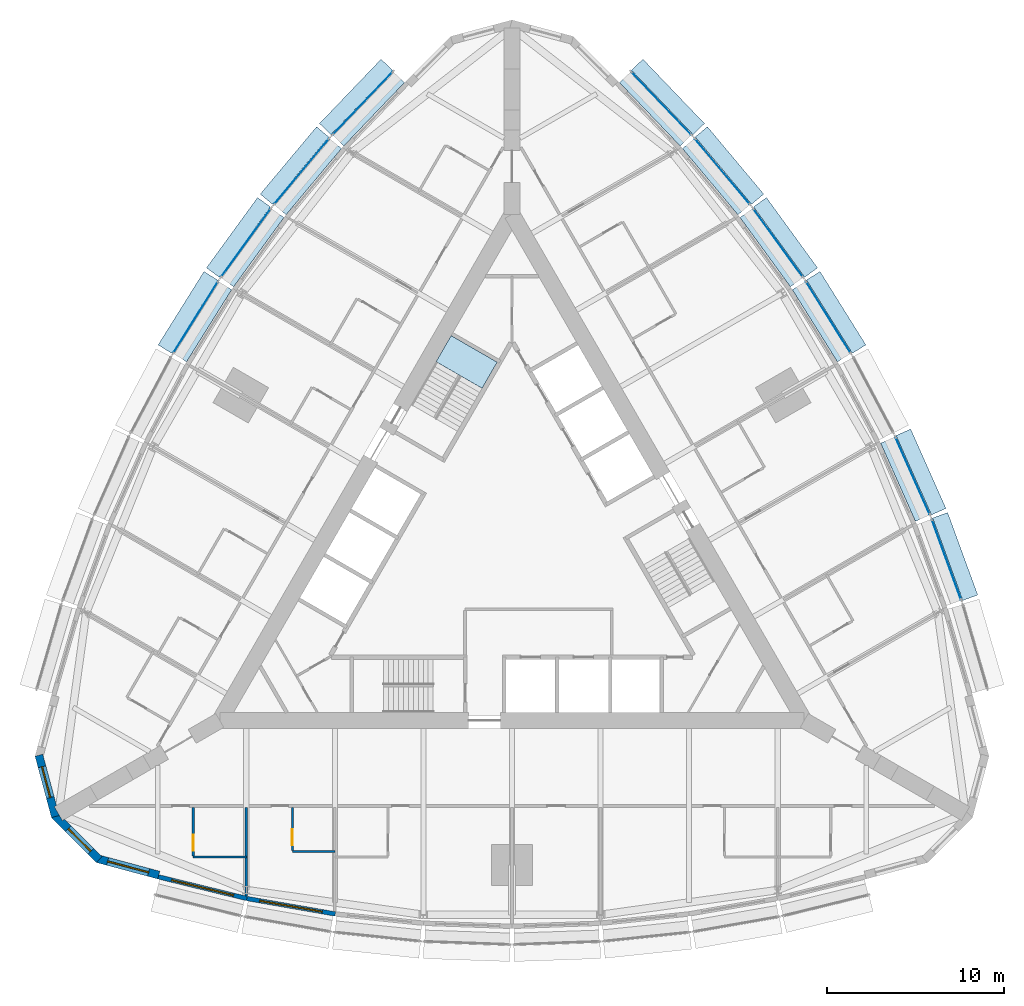
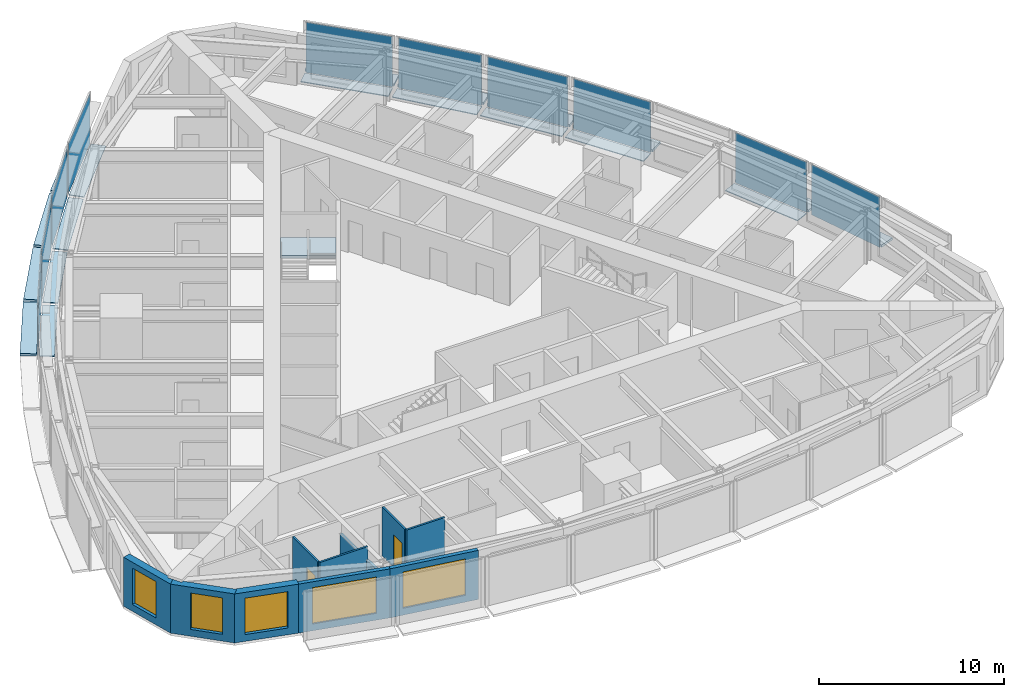
# One storey, part 7 of 14: 29 plates, 10 walls, 5 windows, 2 doors, 1 slab, 7 openings, 11 elements without a shape of their own.
"""IFC4 building model written with IfcOpenShell, lengths in metres."""

from ifc_helpers import new_model, si_unit, direction, frame, frame_2d, origin, origin_2d, place, context, subcontext, project, spatial, polyline, rectangle, outline, extrude, material, layer, layer_set, type_object, element, fill, aggregate, save


model = new_model("IFC4")

# Units and contexts
model_context = context("Model", 3, precision=1e-05, world=origin(), true_north=direction((0.0, 1.0)))
body_context = subcontext(model_context, "Body", "Model", "MODEL_VIEW")
ifc_project = project(units=[si_unit("LENGTHUNIT", "METRE"), si_unit("AREAUNIT", "SQUARE_METRE"), si_unit("VOLUMEUNIT", "CUBIC_METRE"), si_unit("PLANEANGLEUNIT", "RADIAN"), si_unit("MASSUNIT", "GRAM", prefix="KILO")], contexts=[model_context])

# Site, building, storey
site_placement = place(None, origin())
site = spatial("IfcSite", under=ifc_project, at=site_placement, CompositionType="ELEMENT")
building_placement = place(site_placement, origin())
building = spatial("IfcBuilding", under=site, at=building_placement, Name="Trikona Tower", CompositionType="ELEMENT")
storey_placement = place(building_placement, frame((0.0, 0.0, 179.300048828125)))
storey = spatial("IfcBuildingStorey", under=building, at=storey_placement, Name="L48", CompositionType="ELEMENT", Elevation=179.300048828125)

# Plates
ifc_material_1 = material(Name="Aluminium bar grating", Category="aluminium")
ifc_layer_1 = layer(ifc_material_1, 0.050048828125)
ifc_layer_set_1 = layer_set([ifc_layer_1], Name="Cavity catwalk grating")
plate_type_1 = type_object("IfcPlateType", Name="Cavity catwalk grating", PredefinedType="USERDEFINED", material=ifc_layer_set_1)
plate_1_placement = place(storey_placement, frame((22.175048828125, 4.092529296875, -0.05029296875), z_axis=(0.0, 0.0, 1.0), x_axis=(-0.406843467615, 0.913497888809, 0.0)))
element("IfcPlate", 1, at=plate_1_placement, inside=storey, type_object=plate_type_1, Name="Cavity catwalk L48-14", ObjectType="CATWALK GRATING", PredefinedType="USERDEFINED", context=body_context, shape_type="SweptSolid", body=[
    extrude(rectangle(XDim=4.827392578125, YDim=0.830078125, at=origin_2d()), origin(), (0.0, 0.0, 1.0), 0.050048828125),
])
plate_2_placement = place(storey_placement, frame((17.450927734375, 12.978759765625, -0.05029296875), z_axis=(0.0, 0.0, 1.0), x_axis=(-0.529994748414, 0.848000923734, 0.0)))
element("IfcPlate", 2, at=plate_2_placement, inside=storey, type_object=plate_type_1, Name="Cavity catwalk L48-16", ObjectType="CATWALK GRATING", PredefinedType="USERDEFINED", context=body_context, shape_type="SweptSolid", body=[
    extrude(rectangle(XDim=4.802978515625, YDim=0.830078125, at=origin_2d()), origin(), (0.0, 0.0, 1.0), 0.050048828125),
])
plate_3_placement = place(storey_placement, frame((14.6318359375, 17.157958984375, -0.05029296875), z_axis=(0.0, 0.0, 1.0), x_axis=(-0.587686407834, 0.809088799853, 0.0)))
element("IfcPlate", 3, at=plate_3_placement, inside=storey, type_object=plate_type_1, Name="Cavity catwalk L48-17", ObjectType="CATWALK GRATING", PredefinedType="USERDEFINED", context=body_context, shape_type="SweptSolid", body=[
    extrude(rectangle(XDim=4.827392578125, YDim=0.830078125, at=origin_2d()), origin(), (0.0, 0.0, 1.0), 0.050048828125),
])
plate_4_placement = place(storey_placement, frame((11.508056640625, 21.160400390625, -0.05029296875), z_axis=(0.0, 0.0, 1.0), x_axis=(-0.641807063101, 0.766866151133, 0.0)))
element("IfcPlate", 4, at=plate_4_placement, inside=storey, type_object=plate_type_1, Name="Cavity catwalk L48-18", ObjectType="CATWALK GRATING", PredefinedType="USERDEFINED", context=body_context, shape_type="SweptSolid", body=[
    extrude(rectangle(XDim=4.8759765625, YDim=0.830078125, at=origin_2d()), origin(), (0.0, 0.0, 1.0), 0.050048828125),
])
for number, where, z_axis, x_axis, name in (
    (5, (8.080078125, 24.986328125, -0.05029296875), (0.0, 0.0, 1.0), (-0.691723573819, 0.722162376078, 0.0), "Cavity catwalk L48-19"),
    (6, (-8.080078125, 24.986328125, -0.05029296875), (0.0, 0.0, 1.0), (-0.691723573819, -0.722162376078, 0.0), "Cavity catwalk L48-24"),
):
    element("IfcPlate", number, at=place(storey_placement, frame(where, z_axis=z_axis, x_axis=x_axis)), inside=storey, type_object=plate_type_1, Name=name, ObjectType="CATWALK GRATING", PredefinedType="USERDEFINED", context=body_context, shape_type="SweptSolid", body=[
        extrude(rectangle(XDim=4.947998046875, YDim=0.830078125, at=origin_2d()), origin(), (0.0, 0.0, 1.0), 0.050048828125),
    ])
plate_5_placement = place(storey_placement, frame((-11.508056640625, 21.160400390625, -0.05029296875), z_axis=(0.0, 0.0, 1.0), x_axis=(-0.641807063101, -0.766866151133, 0.0)))
element("IfcPlate", 7, at=plate_5_placement, inside=storey, type_object=plate_type_1, Name="Cavity catwalk L48-25", ObjectType="CATWALK GRATING", PredefinedType="USERDEFINED", context=body_context, shape_type="SweptSolid", body=[
    extrude(rectangle(XDim=4.8759765625, YDim=0.830078125, at=origin_2d()), origin(), (0.0, 0.0, 1.0), 0.050048828125),
])
plate_6_placement = place(storey_placement, frame((-14.6318359375, 17.157958984375, -0.05029296875), z_axis=(0.0, 0.0, 1.0), x_axis=(-0.587686407834, -0.809088799853, 0.0)))
element("IfcPlate", 8, at=plate_6_placement, inside=storey, type_object=plate_type_1, Name="Cavity catwalk L48-26", ObjectType="CATWALK GRATING", PredefinedType="USERDEFINED", context=body_context, shape_type="SweptSolid", body=[
    extrude(rectangle(XDim=4.827392578125, YDim=0.830078125, at=origin_2d()), origin(), (0.0, 0.0, 1.0), 0.050048828125),
])
plate_7_placement = place(storey_placement, frame((-17.450927734375, 12.978759765625, -0.05029296875), z_axis=(0.0, 0.0, 1.0), x_axis=(-0.529994748414, -0.848000923734, 0.0)))
element("IfcPlate", 9, at=plate_7_placement, inside=storey, type_object=plate_type_1, Name="Cavity catwalk L48-27", ObjectType="CATWALK GRATING", PredefinedType="USERDEFINED", context=body_context, shape_type="SweptSolid", body=[
    extrude(rectangle(XDim=4.802978515625, YDim=0.830078125, at=origin_2d()), origin(), (0.0, 0.0, 1.0), 0.050048828125),
])

# Curtain wall, plate
ifc_material_2 = material(Name="Aluminium curtain wall system", Category="aluminium")
curtain_wall_type = type_object("IfcCurtainWallType", Name="Curtain wall DS2", PredefinedType="NOTDEFINED", material=ifc_material_2)
curtain_wall_1_placement = place(storey_placement, origin())
curtain_wall_1 = element("IfcCurtainWall", 10, at=curtain_wall_1_placement, inside=storey, type_object=curtain_wall_type, Name="Curtain wall DS2 L48", PredefinedType="NOTDEFINED")
ifc_material_3 = material(Name="Laminated clear glass", Category="glass")
ifc_layer_2 = layer(ifc_material_3, 0.028076171875)
ifc_layer_set_2 = layer_set([ifc_layer_2], Name="Glass panel DS2")
plate_type_2 = type_object("IfcPlateType", Name="Glass panel DS2", PredefinedType="CURTAIN_PANEL", material=ifc_layer_set_2)
plate_8_placement = place(storey_placement, frame((24.53515625, -0.447509765625, 0.0), z_axis=(0.0, 0.0, 1.0), x_axis=(-0.343223420143, 0.939253790978, 0.0)))
plate_8 = element("IfcPlate", 11, at=plate_8_placement, type_object=plate_type_2, Name="CW-DS2 panel 1.1", PredefinedType="CURTAIN_PANEL", context=body_context, shape_type="SweptSolid", body=[
    extrude(rectangle(XDim=4.7958984375, YDim=0.028076171875, at=origin_2d()), origin(), (0.0, 0.0, 1.0), 3.320068359375),
])
aggregate(curtain_wall_1, [plate_8])

curtain_wall_2_placement = place(storey_placement, origin())
curtain_wall_2 = element("IfcCurtainWall", 12, at=curtain_wall_2_placement, inside=storey, type_object=curtain_wall_type, Name="Curtain wall DS2 L48", PredefinedType="NOTDEFINED")
plate_9_placement = place(storey_placement, frame((22.6181640625, 4.289794921875, 0.0), z_axis=(0.0, 0.0, 1.0), x_axis=(-0.406836013132, 0.913501208767, 0.0)))
plate_9 = element("IfcPlate", 13, at=plate_9_placement, type_object=plate_type_2, Name="CW-DS2 panel 1.1", PredefinedType="CURTAIN_PANEL", context=body_context, shape_type="SweptSolid", body=[
    extrude(rectangle(XDim=4.747314453125, YDim=0.028076171875, at=origin_2d()), origin(), (0.0, 0.0, 1.0), 3.320068359375),
])
aggregate(curtain_wall_2, [plate_9])

curtain_wall_3_placement = place(storey_placement, origin())
curtain_wall_3 = element("IfcCurtainWall", 14, at=curtain_wall_3_placement, inside=storey, type_object=curtain_wall_type, Name="Curtain wall DS2 L48", PredefinedType="NOTDEFINED")
plate_10_placement = place(storey_placement, frame((17.8623046875, 13.23583984375, 0.0), z_axis=(0.0, 0.0, 1.0), x_axis=(-0.529998940002, 0.847998304006, 0.0)))
plate_10 = element("IfcPlate", 15, at=plate_10_placement, type_object=plate_type_2, Name="CW-DS2 panel 1.1", PredefinedType="CURTAIN_PANEL", context=body_context, shape_type="SweptSolid", body=[
    extrude(rectangle(XDim=4.72314453125, YDim=0.028076171875, at=origin_2d()), origin(), (0.0, 0.0, 1.0), 3.320068359375),
])
aggregate(curtain_wall_3, [plate_10])

curtain_wall_4_placement = place(storey_placement, origin())
curtain_wall_4 = element("IfcCurtainWall", 16, at=curtain_wall_4_placement, inside=storey, type_object=curtain_wall_type, Name="Curtain wall DS2 L48", PredefinedType="NOTDEFINED")
plate_11_placement = place(storey_placement, frame((15.024169921875, 17.443115234375, 0.0), z_axis=(0.0, 0.0, 1.0), x_axis=(-0.587690588313, 0.80908576332, 0.0)))
plate_11 = element("IfcPlate", 17, at=plate_11_placement, type_object=plate_type_2, Name="CW-DS2 panel 1.1", PredefinedType="CURTAIN_PANEL", context=body_context, shape_type="SweptSolid", body=[
    extrude(rectangle(XDim=4.74755859375, YDim=0.028076171875, at=origin_2d()), origin(), (0.0, 0.0, 1.0), 3.320068359375),
])
aggregate(curtain_wall_4, [plate_11])

curtain_wall_5_placement = place(storey_placement, origin())
curtain_wall_5 = element("IfcCurtainWall", 18, at=curtain_wall_5_placement, inside=storey, type_object=curtain_wall_type, Name="Curtain wall DS2 L48", PredefinedType="NOTDEFINED")
plate_12_placement = place(storey_placement, frame((11.8798828125, 21.4716796875, 0.0), z_axis=(0.0, 0.0, 1.0), x_axis=(-0.641806433248, 0.766866678271, 0.0)))
plate_12 = element("IfcPlate", 19, at=plate_12_placement, type_object=plate_type_2, Name="CW-DS2 panel 1.1", PredefinedType="CURTAIN_PANEL", context=body_context, shape_type="SweptSolid", body=[
    extrude(rectangle(XDim=4.7958984375, YDim=0.028076171875, at=origin_2d()), origin(), (0.0, 0.0, 1.0), 3.320068359375),
])
aggregate(curtain_wall_5, [plate_12])

curtain_wall_6_placement = place(storey_placement, origin())
curtain_wall_6 = element("IfcCurtainWall", 20, at=curtain_wall_6_placement, inside=storey, type_object=curtain_wall_type, Name="Curtain wall DS2 L48", PredefinedType="NOTDEFINED")
plate_13_placement = place(storey_placement, frame((8.430419921875, 25.32177734375, 0.0), z_axis=(0.0, 0.0, 1.0), x_axis=(-0.691727797117, 0.722158330767, 0.0)))
plate_13 = element("IfcPlate", 21, at=plate_13_placement, type_object=plate_type_2, Name="CW-DS2 panel 1.1", PredefinedType="CURTAIN_PANEL", context=body_context, shape_type="SweptSolid", body=[
    extrude(rectangle(XDim=4.867919921875, YDim=0.028076171875, at=origin_2d()), origin(), (0.0, 0.0, 1.0), 3.320068359375),
])
aggregate(curtain_wall_6, [plate_13])

curtain_wall_7_placement = place(storey_placement, origin())
curtain_wall_7 = element("IfcCurtainWall", 22, at=curtain_wall_7_placement, inside=storey, type_object=curtain_wall_type, Name="Curtain wall DS2 L48", PredefinedType="NOTDEFINED")
plate_14_placement = place(storey_placement, frame((-8.430419921875, 25.32177734375, 0.0), z_axis=(0.0, 0.0, 1.0), x_axis=(-0.691727797117, -0.722158330767, 0.0)))
plate_14 = element("IfcPlate", 23, at=plate_14_placement, type_object=plate_type_2, Name="CW-DS2 panel 1.1", PredefinedType="CURTAIN_PANEL", context=body_context, shape_type="SweptSolid", body=[
    extrude(rectangle(XDim=4.867919921875, YDim=0.028076171875, at=origin_2d()), origin(), (0.0, 0.0, 1.0), 3.320068359375),
])
aggregate(curtain_wall_7, [plate_14])

curtain_wall_8_placement = place(storey_placement, origin())
curtain_wall_8 = element("IfcCurtainWall", 24, at=curtain_wall_8_placement, inside=storey, type_object=curtain_wall_type, Name="Curtain wall DS2 L48", PredefinedType="NOTDEFINED")
plate_15_placement = place(storey_placement, frame((-11.8798828125, 21.4716796875, 0.0), z_axis=(0.0, 0.0, 1.0), x_axis=(-0.641806433248, -0.766866678271, 0.0)))
plate_15 = element("IfcPlate", 25, at=plate_15_placement, type_object=plate_type_2, Name="CW-DS2 panel 1.1", PredefinedType="CURTAIN_PANEL", context=body_context, shape_type="SweptSolid", body=[
    extrude(rectangle(XDim=4.7958984375, YDim=0.028076171875, at=origin_2d()), origin(), (0.0, 0.0, 1.0), 3.320068359375),
])
aggregate(curtain_wall_8, [plate_15])

curtain_wall_9_placement = place(storey_placement, origin())
curtain_wall_9 = element("IfcCurtainWall", 26, at=curtain_wall_9_placement, inside=storey, type_object=curtain_wall_type, Name="Curtain wall DS2 L48", PredefinedType="NOTDEFINED")
plate_16_placement = place(storey_placement, frame((-15.024169921875, 17.443115234375, 0.0), z_axis=(0.0, 0.0, 1.0), x_axis=(-0.587690588313, -0.80908576332, 0.0)))
plate_16 = element("IfcPlate", 27, at=plate_16_placement, type_object=plate_type_2, Name="CW-DS2 panel 1.1", PredefinedType="CURTAIN_PANEL", context=body_context, shape_type="SweptSolid", body=[
    extrude(rectangle(XDim=4.74755859375, YDim=0.028076171875, at=origin_2d()), origin(), (0.0, 0.0, 1.0), 3.320068359375),
])
aggregate(curtain_wall_9, [plate_16])

curtain_wall_10_placement = place(storey_placement, origin())
curtain_wall_10 = element("IfcCurtainWall", 28, at=curtain_wall_10_placement, inside=storey, type_object=curtain_wall_type, Name="Curtain wall DS2 L48", PredefinedType="NOTDEFINED")
plate_17_placement = place(storey_placement, frame((-17.8623046875, 13.23583984375, 0.0), z_axis=(0.0, 0.0, 1.0), x_axis=(-0.529998940002, -0.847998304006, 0.0)))
plate_17 = element("IfcPlate", 29, at=plate_17_placement, type_object=plate_type_2, Name="CW-DS2 panel 1.1", PredefinedType="CURTAIN_PANEL", context=body_context, shape_type="SweptSolid", body=[
    extrude(rectangle(XDim=4.72314453125, YDim=0.028076171875, at=origin_2d()), origin(), (0.0, 0.0, 1.0), 3.320068359375),
])
aggregate(curtain_wall_10, [plate_17])

# Plates
ifc_material_4 = material(Name="Aluminium plate fin, pale anodised, on stainless steel outriggers", Category="steel")
ifc_layer_3 = layer(ifc_material_4, 0.14990234375)
ifc_layer_set_3 = layer_set([ifc_layer_3], Name="Outer skin fin 900")
plate_type_3 = type_object("IfcPlateType", Name="Outer skin fin 900", PredefinedType="USERDEFINED", material=ifc_layer_set_3)
plate_18_placement = place(storey_placement, frame((25.0234375, -0.26904296875, 0.0), z_axis=(0.0, 0.0, 1.0), x_axis=(-0.343220397324, 0.939254895575, 0.0)))
element("IfcPlate", 30, at=plate_18_placement, inside=storey, type_object=plate_type_3, Name="Outer skin fin L48-13", ObjectType="FIN", PredefinedType="USERDEFINED", context=body_context, shape_type="SweptSolid", body=[
    extrude(rectangle(XDim=4.9560546875, YDim=0.89990234375, at=origin_2d()), origin(), (0.0, 0.0, 1.0), 0.14990234375),
])
plate_19_placement = place(storey_placement, frame((23.09326171875, 4.50146484375, 0.0), z_axis=(0.0, 0.0, 1.0), x_axis=(-0.406843467615, 0.913497888809, 0.0)))
element("IfcPlate", 31, at=plate_19_placement, inside=storey, type_object=plate_type_3, Name="Outer skin fin L48-14", ObjectType="FIN", PredefinedType="USERDEFINED", context=body_context, shape_type="SweptSolid", body=[
    extrude(rectangle(XDim=4.907470703125, YDim=0.89990234375, at=origin_2d()), origin(), (0.0, 0.0, 1.0), 0.14990234375),
])
plate_20_placement = place(storey_placement, frame((18.30322265625, 13.511474609375, 0.0), z_axis=(0.0, 0.0, 1.0), x_axis=(-0.529994748414, 0.848000923734, 0.0)))
element("IfcPlate", 32, at=plate_20_placement, inside=storey, type_object=plate_type_3, Name="Outer skin fin L48-16", ObjectType="FIN", PredefinedType="USERDEFINED", context=body_context, shape_type="SweptSolid", body=[
    extrude(rectangle(XDim=4.883056640625, YDim=0.89990234375, at=origin_2d()), origin(), (0.0, 0.0, 1.0), 0.14990234375),
])
plate_21_placement = place(storey_placement, frame((15.44482421875, 17.74853515625, 0.0), z_axis=(0.0, 0.0, 1.0), x_axis=(-0.587686407834, 0.809088799853, 0.0)))
element("IfcPlate", 33, at=plate_21_placement, inside=storey, type_object=plate_type_3, Name="Outer skin fin L48-17", ObjectType="FIN", PredefinedType="USERDEFINED", context=body_context, shape_type="SweptSolid", body=[
    extrude(rectangle(XDim=4.907470703125, YDim=0.89990234375, at=origin_2d()), origin(), (0.0, 0.0, 1.0), 0.14990234375),
])
plate_22_placement = place(storey_placement, frame((12.27880859375, 21.8056640625, 0.0), z_axis=(0.0, 0.0, 1.0), x_axis=(-0.641807063101, 0.766866151133, 0.0)))
element("IfcPlate", 34, at=plate_22_placement, inside=storey, type_object=plate_type_3, Name="Outer skin fin L48-18", ObjectType="FIN", PredefinedType="USERDEFINED", context=body_context, shape_type="SweptSolid", body=[
    extrude(rectangle(XDim=4.9560546875, YDim=0.89990234375, at=origin_2d()), origin(), (0.0, 0.0, 1.0), 0.14990234375),
])
for number, where, z_axis, x_axis, name in (
    (35, (8.805908203125, 25.681396484375, 0.0), (0.0, 0.0, 1.0), (-0.691723573819, 0.722162376078, 0.0), "Outer skin fin L48-19"),
    (36, (-8.805908203125, 25.681396484375, 0.0), (0.0, 0.0, 1.0), (-0.691723573819, -0.722162376078, 0.0), "Outer skin fin L48-24"),
):
    element("IfcPlate", number, at=place(storey_placement, frame(where, z_axis=z_axis, x_axis=x_axis)), inside=storey, type_object=plate_type_3, Name=name, ObjectType="FIN", PredefinedType="USERDEFINED", context=body_context, shape_type="SweptSolid", body=[
        extrude(rectangle(XDim=5.02783203125, YDim=0.89990234375, at=origin_2d()), origin(), (0.0, 0.0, 1.0), 0.14990234375),
    ])
plate_23_placement = place(storey_placement, frame((-12.27880859375, 21.8056640625, 0.0), z_axis=(0.0, 0.0, 1.0), x_axis=(-0.641807063101, -0.766866151133, 0.0)))
element("IfcPlate", 37, at=plate_23_placement, inside=storey, type_object=plate_type_3, Name="Outer skin fin L48-25", ObjectType="FIN", PredefinedType="USERDEFINED", context=body_context, shape_type="SweptSolid", body=[
    extrude(rectangle(XDim=4.9560546875, YDim=0.89990234375, at=origin_2d()), origin(), (0.0, 0.0, 1.0), 0.14990234375),
])
plate_24_placement = place(storey_placement, frame((-15.44482421875, 17.74853515625, 0.0), z_axis=(0.0, 0.0, 1.0), x_axis=(-0.587686407834, -0.809088799853, 0.0)))
element("IfcPlate", 38, at=plate_24_placement, inside=storey, type_object=plate_type_3, Name="Outer skin fin L48-26", ObjectType="FIN", PredefinedType="USERDEFINED", context=body_context, shape_type="SweptSolid", body=[
    extrude(rectangle(XDim=4.907470703125, YDim=0.89990234375, at=origin_2d()), origin(), (0.0, 0.0, 1.0), 0.14990234375),
])
plate_25_placement = place(storey_placement, frame((-18.30322265625, 13.511474609375, 0.0), z_axis=(0.0, 0.0, 1.0), x_axis=(-0.529994748414, -0.848000923734, 0.0)))
element("IfcPlate", 39, at=plate_25_placement, inside=storey, type_object=plate_type_3, Name="Outer skin fin L48-27", ObjectType="FIN", PredefinedType="USERDEFINED", context=body_context, shape_type="SweptSolid", body=[
    extrude(rectangle(XDim=4.883056640625, YDim=0.89990234375, at=origin_2d()), origin(), (0.0, 0.0, 1.0), 0.14990234375),
])

# Stair, slab
ifc_material_5 = material(Name="Concrete f'c 5000 psi", Category="concrete")
stair_type = type_object("IfcStairType", Name="Core stair", PredefinedType="HALF_TURN_STAIR", material=ifc_material_5)
stair_placement = place(storey_placement, origin())
stair = element("IfcStair", 40, at=stair_placement, inside=storey, type_object=stair_type, Name="Stair C L48", PredefinedType="HALF_TURN_STAIR")
ifc_material_6 = material(Name="Concrete f'c 5000 psi", Category="concrete")
ifc_layer_4 = layer(ifc_material_6, 0.199951171875)
ifc_layer_set_4 = layer_set([ifc_layer_4], Name="Stair landing 200")
slab_type = type_object("IfcSlabType", Name="Stair landing 200", PredefinedType="LANDING", material=ifc_layer_set_4)
slab_placement = place(storey_placement, frame((0.0, 0.0, 1.5)))
slab = element("IfcSlab", 41, at=slab_placement, type_object=slab_type, Name="ST-C landing 2", PredefinedType="LANDING", context=body_context, shape_type="SweptSolid", body=[
    extrude(outline(polyline([(-0.837158203125, 10.702392578125), (-1.688720703125, 9.2275390625), (-4.286865234375, 10.7275390625), (-3.435302734375, 12.202392578125), (-0.837158203125, 10.702392578125)])), origin(), (0.0, 0.0, 1.0), 0.199951171875),
])
aggregate(stair, [slab])

# Wall
ifc_material_7 = material(Name="Metal stud and cement board", Category="gypsum")
ifc_layer_5 = layer(ifc_material_7, 0.1201171875)
ifc_layer_set_5 = layer_set([ifc_layer_5], Name="Bathroom wall 120")
wall_type_1 = type_object("IfcWallType", Name="Bathroom wall 120", PredefinedType="PLUMBINGWALL", material=ifc_layer_set_5)
wall_1_placement = place(storey_placement, frame((-18.0, -17.226318359375, 0.0), z_axis=(0.0, 0.0, 1.0), x_axis=(1.0, 0.0, 0.0)))
element("IfcWall", 42, at=wall_1_placement, inside=storey, type_object=wall_type_1, Name="Bathroom wall 4801", PredefinedType="PLUMBINGWALL", context=body_context, shape_type="SweptSolid", body=[
    extrude(rectangle(XDim=3.0, YDim=0.1201171875, at=frame_2d((1.5, 0.0))), origin(), (0.0, 0.0, 1.0), 3.23486328125),
])

# Wall, opening, door
wall_2_placement = place(storey_placement, frame((-18.0, -14.42626953125, 0.0), z_axis=(0.0, 0.0, 1.0), x_axis=(0.0, -1.0, 0.0)))
wall_2 = element("IfcWall", 43, at=wall_2_placement, inside=storey, type_object=wall_type_1, Name="Bathroom wall 4801", PredefinedType="PLUMBINGWALL", context=body_context, shape_type="SweptSolid", body=[
    extrude(rectangle(XDim=2.739990234375, YDim=0.1201171875, at=frame_2d((1.3701171875, 0.0))), origin(), (0.0, 0.0, 1.0), 3.23486328125),
])
opening_1_placement = place(wall_2_placement, frame((1.550048828125, 0.0, 0.0)))
opening_1 = element("IfcOpeningElement", 44, at=opening_1_placement, cuts=wall_2, Name="Opening D2", PredefinedType="OPENING", context=body_context, shape_type="SweptSolid", body=[
    extrude(rectangle(XDim=0.89990234375, YDim=2.1298828125, at=frame_2d((0.449951171875, 1.06494140625))), frame((0.0, 0.070068359375, 0.0), z_axis=(0.0, -1.0, 0.0), x_axis=(1.0, 0.0, 0.0)), (0.0, 0.0, 1.0), 0.14013671875),
])
ifc_material_8 = material(Name="Steel door frame with solid-core timber leaf", Category="steel")
door_type = type_object("IfcDoorType", Name="Bathroom door 900x2130", OperationType="SLIDING_TO_LEFT", PredefinedType="DOOR", material=ifc_material_8)
door_1_placement = place(opening_1_placement, origin())
door_1 = element("IfcDoor", 45, at=door_1_placement, inside=storey, type_object=door_type, Name="Bathroom door 4801", OperationType="SLIDING_TO_LEFT", OverallHeight=2.1298828125, OverallWidth=0.89990234375, PredefinedType="DOOR", context=body_context, shape_type="SweptSolid", body=[
    extrude(rectangle(XDim=0.89990234375, YDim=2.1298828125, at=frame_2d((0.449951171875, 1.06494140625))), frame((0.0, 0.02490234375, 0.0), z_axis=(0.0, -1.0, 0.0), x_axis=(1.0, 0.0, 0.0)), (0.0, 0.0, 1.0), 0.050048828125),
])
fill(opening_1, door_1)

# Wall
wall_3_placement = place(storey_placement, frame((-12.39990234375, -16.92626953125, 0.0), z_axis=(0.0, 0.0, 1.0), x_axis=(1.0, 0.0, 0.0)))
element("IfcWall", 46, at=wall_3_placement, inside=storey, type_object=wall_type_1, Name="Bathroom wall 4802", PredefinedType="PLUMBINGWALL", context=body_context, shape_type="SweptSolid", body=[
    extrude(rectangle(XDim=2.39990234375, YDim=0.1201171875, at=frame_2d((1.199951171875, 0.0))), origin(), (0.0, 0.0, 1.0), 3.23486328125),
])

# Wall, opening, door
wall_4_placement = place(storey_placement, frame((-12.39990234375, -14.42626953125, 0.0), z_axis=(0.0, 0.0, 1.0), x_axis=(0.0, -1.0, 0.0)))
wall_4 = element("IfcWall", 47, at=wall_4_placement, inside=storey, type_object=wall_type_1, Name="Bathroom wall 4802", PredefinedType="PLUMBINGWALL", context=body_context, shape_type="SweptSolid", body=[
    extrude(rectangle(XDim=2.43994140625, YDim=0.1201171875, at=frame_2d((1.219970703125, 0.0))), origin(), (0.0, 0.0, 1.0), 3.23486328125),
])
opening_2_placement = place(wall_4_placement, frame((1.25, 0.0, 0.0)))
opening_2 = element("IfcOpeningElement", 48, at=opening_2_placement, cuts=wall_4, Name="Opening D2", PredefinedType="OPENING", context=body_context, shape_type="SweptSolid", body=[
    extrude(rectangle(XDim=0.89990234375, YDim=2.1298828125, at=frame_2d((0.449951171875, 1.06494140625))), frame((0.0, 0.070068359375, 0.0), z_axis=(0.0, -1.0, 0.0), x_axis=(1.0, 0.0, 0.0)), (0.0, 0.0, 1.0), 0.14013671875),
])
door_2_placement = place(opening_2_placement, origin())
door_2 = element("IfcDoor", 49, at=door_2_placement, inside=storey, type_object=door_type, Name="Bathroom door 4802", OperationType="SLIDING_TO_LEFT", OverallHeight=2.1298828125, OverallWidth=0.89990234375, PredefinedType="DOOR", context=body_context, shape_type="SweptSolid", body=[
    extrude(rectangle(XDim=0.89990234375, YDim=2.1298828125, at=frame_2d((0.449951171875, 1.06494140625))), frame((0.0, 0.02490234375, 0.0), z_axis=(0.0, -1.0, 0.0), x_axis=(1.0, 0.0, 0.0)), (0.0, 0.0, 1.0), 0.050048828125),
])
fill(opening_2, door_2)

# Wall, opening, window
ifc_material_9 = material(Name="Brick-faced precast concrete", Category="masonry")
ifc_layer_6 = layer(ifc_material_9, 0.449951171875)
ifc_layer_set_6 = layer_set([ifc_layer_6], Name="Brick-faced corner wall 450")
wall_type_2 = type_object("IfcWallType", Name="Brick-faced corner wall 450", PredefinedType="SOLIDWALL", material=ifc_layer_set_6)
wall_5_placement = place(storey_placement, frame((-26.7109375, -11.48876953125, 0.0), z_axis=(0.0, 0.0, 1.0), x_axis=(0.258823421857, -0.965924653531, 0.0)))
wall_5 = element("IfcWall", 50, at=wall_5_placement, inside=storey, type_object=wall_type_2, Name="External wall L48-33", PredefinedType="SOLIDWALL", context=body_context, shape_type="SweptSolid", body=[
    extrude(outline(polyline([(3.58642578125, 0.22509765625), (3.52685546875, 0.22509765625), (3.03515625, 0.09326171875), (3.0, 0.22509765625), (0.0, 0.22509765625), (0.0, -0.22509765625), (3.58642578125, -0.22509765625), (3.58642578125, 0.22509765625)])), origin(), (0.0, 0.0, 1.0), 3.23486328125),
])
opening_3_placement = place(wall_5_placement, frame((0.6748046875, 0.0, 0.449951171875)))
opening_3 = element("IfcOpeningElement", 51, at=opening_3_placement, cuts=wall_5, Name="Opening W1824", PredefinedType="OPENING", context=body_context, shape_type="SweptSolid", body=[
    extrude(rectangle(XDim=1.800048828125, YDim=2.39990234375, at=frame_2d((0.89990234375, 1.199951171875))), frame((0.0, 0.23486328125, 0.0), z_axis=(0.0, -1.0, 0.0), x_axis=(1.0, 0.0, 0.0)), (0.0, 0.0, 1.0), 0.469970703125),
])
ifc_material_10 = material(Name="Aluminium-framed double glazing", Category="aluminium")
window_type_1 = type_object("IfcWindowType", Name="Window 1800x2400", PartitioningType="SINGLE_PANEL", PredefinedType="WINDOW", material=ifc_material_10)
window_1_placement = place(opening_3_placement, origin())
window_1 = element("IfcWindow", 52, at=window_1_placement, inside=storey, type_object=window_type_1, Name="Window 4815", OverallHeight=2.39990234375, OverallWidth=1.800048828125, PartitioningType="SINGLE_PANEL", PredefinedType="WINDOW", context=body_context, shape_type="SweptSolid", body=[
    extrude(rectangle(XDim=1.800048828125, YDim=2.39990234375, at=frame_2d((0.89990234375, 1.199951171875))), frame((0.0, 0.030029296875, 0.0), z_axis=(0.0, -1.0, 0.0), x_axis=(1.0, 0.0, 0.0)), (0.0, 0.0, 1.0), 0.06005859375),
])
fill(opening_3, window_1)

wall_6_placement = place(storey_placement, frame((-25.8408203125, -14.85205078125, 0.0), z_axis=(0.0, 0.0, 1.0), x_axis=(0.707106781187, -0.707106781187, 0.0)))
wall_6 = element("IfcWall", 53, at=wall_6_placement, inside=storey, type_object=wall_type_2, Name="External wall L48-34", PredefinedType="SOLIDWALL", context=body_context, shape_type="SweptSolid", body=[
    extrude(outline(polyline([(3.586181640625, 0.22509765625), (0.58642578125, 0.22509765625), (0.551025390625, 0.09326171875), (0.05908203125, 0.22509765625), (0.0, 0.22509765625), (0.0, -0.22509765625), (3.586181640625, -0.22509765625), (3.586181640625, 0.22509765625)])), origin(), (0.0, 0.0, 1.0), 3.23486328125),
])
opening_4_placement = place(wall_6_placement, frame((1.111328125, 0.0, 0.449951171875)))
opening_4 = element("IfcOpeningElement", 54, at=opening_4_placement, cuts=wall_6, Name="Opening W1824", PredefinedType="OPENING", context=body_context, shape_type="SweptSolid", body=[
    extrude(rectangle(XDim=1.800048828125, YDim=2.39990234375, at=frame_2d((0.89990234375, 1.199951171875))), frame((0.0, 0.23486328125, 0.0), z_axis=(0.0, -1.0, 0.0), x_axis=(1.0, 0.0, 0.0)), (0.0, 0.0, 1.0), 0.469970703125),
])
window_2_placement = place(opening_4_placement, origin())
window_2 = element("IfcWindow", 55, at=window_2_placement, inside=storey, type_object=window_type_1, Name="Window 4801", OverallHeight=2.39990234375, OverallWidth=1.800048828125, PartitioningType="SINGLE_PANEL", PredefinedType="WINDOW", context=body_context, shape_type="SweptSolid", body=[
    extrude(rectangle(XDim=1.800048828125, YDim=2.39990234375, at=frame_2d((0.89990234375, 1.199951171875))), frame((0.0, 0.030029296875, 0.0), z_axis=(0.0, -1.0, 0.0), x_axis=(1.0, 0.0, 0.0)), (0.0, 0.0, 1.0), 0.06005859375),
])
fill(opening_4, window_2)

wall_7_placement = place(storey_placement, frame((-23.406005859375, -17.32958984375, 0.0), z_axis=(0.0, 0.0, 1.0), x_axis=(0.965924653531, -0.258823421857, 0.0)))
wall_7 = element("IfcWall", 56, at=wall_7_placement, inside=storey, type_object=wall_type_2, Name="External wall L48-35", PredefinedType="SOLIDWALL", context=body_context, shape_type="SweptSolid", body=[
    extrude(rectangle(XDim=3.58642578125, YDim=0.449951171875, at=frame_2d((1.793212890625, 0.0))), origin(), (0.0, 0.0, 1.0), 3.23486328125),
])
opening_5_placement = place(wall_7_placement, frame((0.593017578125, 0.0, 0.449951171875)))
opening_5 = element("IfcOpeningElement", 57, at=opening_5_placement, cuts=wall_7, Name="Opening W2424", PredefinedType="OPENING", context=body_context, shape_type="SweptSolid", body=[
    extrude(rectangle(XDim=2.39990234375, YDim=2.39990234375, at=frame_2d((1.199951171875, 1.199951171875))), frame((0.0, 0.23486328125, 0.0), z_axis=(0.0, -1.0, 0.0), x_axis=(1.0, 0.0, 0.0)), (0.0, 0.0, 1.0), 0.469970703125),
])
ifc_material_11 = material(Name="Aluminium-framed double glazing", Category="aluminium")
window_type_2 = type_object("IfcWindowType", Name="Window 2400x2400", PartitioningType="SINGLE_PANEL", PredefinedType="WINDOW", material=ifc_material_11)
window_3_placement = place(opening_5_placement, origin())
window_3 = element("IfcWindow", 58, at=window_3_placement, inside=storey, type_object=window_type_2, Name="Window 4801", OverallHeight=2.39990234375, OverallWidth=2.39990234375, PartitioningType="SINGLE_PANEL", PredefinedType="WINDOW", context=body_context, shape_type="SweptSolid", body=[
    extrude(rectangle(XDim=2.39990234375, YDim=2.39990234375, at=frame_2d((1.199951171875, 1.199951171875))), frame((0.0, 0.030029296875, 0.0), z_axis=(0.0, -1.0, 0.0), x_axis=(1.0, 0.0, 0.0)), (0.0, 0.0, 1.0), 0.06005859375),
])
fill(opening_5, window_3)

ifc_material_12 = material(Name="Insulated precast concrete spandrel panel", Category="concrete")
ifc_layer_7 = layer(ifc_material_12, 0.25)
ifc_layer_set_7 = layer_set([ifc_layer_7], Name="Inner skin wall 250")
wall_type_3 = type_object("IfcWallType", Name="Inner skin wall 250", PredefinedType="STANDARD", material=ifc_layer_set_7)
wall_8_placement = place(storey_placement, frame((-19.97021484375, -18.353759765625, 0.0), z_axis=(0.0, 0.0, 1.0), x_axis=(0.971270024053, -0.237980126011, 0.0)))
wall_8 = element("IfcWall", 59, at=wall_8_placement, inside=storey, type_object=wall_type_3, Name="External wall L48-00", PredefinedType="STANDARD", context=body_context, shape_type="SweptSolid", body=[
    extrude(rectangle(XDim=5.14794921875, YDim=0.25, at=frame_2d((2.573974609375, 0.0))), origin(), (0.0, 0.0, 1.0), 3.23486328125),
])
opening_6_placement = place(wall_8_placement, frame((0.77392578125, 0.0, 0.449951171875)))
opening_6 = element("IfcOpeningElement", 60, at=opening_6_placement, cuts=wall_8, Name="Opening W3624", PredefinedType="OPENING", context=body_context, shape_type="SweptSolid", body=[
    extrude(rectangle(XDim=3.60009765625, YDim=2.39990234375, at=frame_2d((1.800048828125, 1.199951171875))), frame((0.0, 0.135009765625, 0.0), z_axis=(0.0, -1.0, 0.0), x_axis=(1.0, 0.0, 0.0)), (0.0, 0.0, 1.0), 0.27001953125),
])
ifc_material_13 = material(Name="Aluminium-framed double glazing", Category="aluminium")
window_type_3 = type_object("IfcWindowType", Name="Window 3600x2400", PartitioningType="SINGLE_PANEL", PredefinedType="WINDOW", material=ifc_material_13)
window_4_placement = place(opening_6_placement, origin())
window_4 = element("IfcWindow", 61, at=window_4_placement, inside=storey, type_object=window_type_3, Name="Window 4801", OverallHeight=2.39990234375, OverallWidth=3.60009765625, PartitioningType="SINGLE_PANEL", PredefinedType="WINDOW", context=body_context, shape_type="SweptSolid", body=[
    extrude(rectangle(XDim=3.60009765625, YDim=2.39990234375, at=frame_2d((1.800048828125, 1.199951171875))), frame((0.0, 0.030029296875, 0.0), z_axis=(0.0, -1.0, 0.0), x_axis=(1.0, 0.0, 0.0)), (0.0, 0.0, 1.0), 0.06005859375),
])
fill(opening_6, window_4)

wall_9_placement = place(storey_placement, frame((-14.978515625, -19.5771484375, 0.0), z_axis=(0.0, 0.0, 1.0), x_axis=(0.985030467156, -0.172380331752, 0.0)))
wall_9 = element("IfcWall", 62, at=wall_9_placement, inside=storey, type_object=wall_type_3, Name="External wall L48-01", PredefinedType="STANDARD", context=body_context, shape_type="SweptSolid", body=[
    extrude(rectangle(XDim=5.075927734375, YDim=0.25, at=frame_2d((2.5380859375, 0.0))), origin(), (0.0, 0.0, 1.0), 3.23486328125),
])
opening_7_placement = place(wall_9_placement, frame((0.738037109375, 0.0, 0.449951171875)))
opening_7 = element("IfcOpeningElement", 63, at=opening_7_placement, cuts=wall_9, Name="Opening W3624", PredefinedType="OPENING", context=body_context, shape_type="SweptSolid", body=[
    extrude(rectangle(XDim=3.60009765625, YDim=2.39990234375, at=frame_2d((1.800048828125, 1.199951171875))), frame((0.0, 0.135009765625, 0.0), z_axis=(0.0, -1.0, 0.0), x_axis=(1.0, 0.0, 0.0)), (0.0, 0.0, 1.0), 0.27001953125),
])
window_5_placement = place(opening_7_placement, origin())
window_5 = element("IfcWindow", 64, at=window_5_placement, inside=storey, type_object=window_type_3, Name="Window 4802", OverallHeight=2.39990234375, OverallWidth=3.60009765625, PartitioningType="SINGLE_PANEL", PredefinedType="WINDOW", context=body_context, shape_type="SweptSolid", body=[
    extrude(rectangle(XDim=3.60009765625, YDim=2.39990234375, at=frame_2d((1.800048828125, 1.199951171875))), frame((0.0, 0.030029296875, 0.0), z_axis=(0.0, -1.0, 0.0), x_axis=(1.0, 0.0, 0.0)), (0.0, 0.0, 1.0), 0.06005859375),
])
fill(opening_7, window_5)

# Wall
ifc_material_14 = material(Name="Metal stud and gypsum board, 1-hour acoustic", Category="gypsum")
ifc_layer_8 = layer(ifc_material_14, 0.14990234375)
ifc_layer_set_8 = layer_set([ifc_layer_8], Name="Party wall 150")
wall_type_4 = type_object("IfcWallType", Name="Party wall 150", PredefinedType="PARTITIONING", material=ifc_layer_set_8)
wall_10_placement = place(storey_placement, frame((-15.0, -14.42626953125, 0.0), z_axis=(0.0, 0.0, 1.0), x_axis=(0.0, -1.0, 0.0)))
element("IfcWall", 65, at=wall_10_placement, inside=storey, type_object=wall_type_4, Name="Partition L48 F1 u-15", PredefinedType="PARTITIONING", context=body_context, shape_type="SweptSolid", body=[
    extrude(rectangle(XDim=5.0166015625, YDim=0.14990234375, at=frame_2d((2.50830078125, 0.0))), origin(), (0.0, 0.0, 1.0), 2.38916015625),
])

save(model, "model.ifc")
